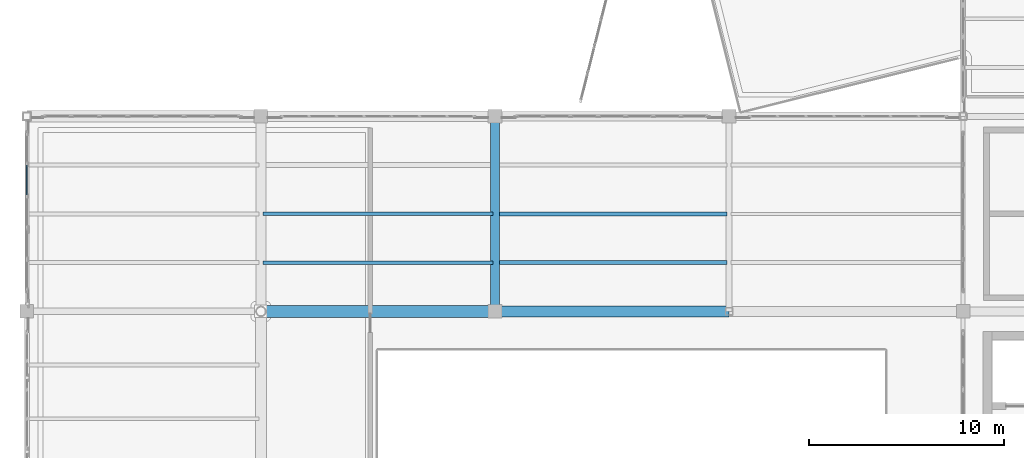
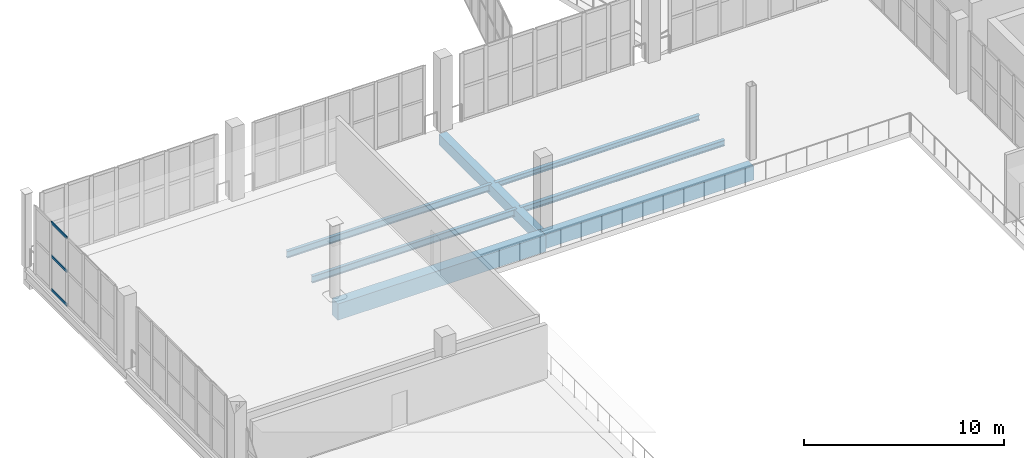
# One storey, part 18 of 108: 7 beams, 3 members, 1 element without a shape of its own.
"""IFC4 building model written with IfcOpenShell, lengths in metres."""

from ifc_helpers import new_model, si_unit, direction, frame, origin, origin_2d, place, context, subcontext, project, spatial, rectangle, hollow_rectangle, i_section, extrude, material, layer, layer_set, material_profile, profile_set, type_object, element, aggregate, save


model = new_model("IFC4")

# Units and contexts
model_context = context("Model", 3, precision=1e-05, world=origin(), true_north=direction((0.0, 1.0)))
body_context = subcontext(model_context, "Body", "Model", "MODEL_VIEW")
ifc_project = project(units=[si_unit("LENGTHUNIT", "METRE"), si_unit("AREAUNIT", "SQUARE_METRE"), si_unit("VOLUMEUNIT", "CUBIC_METRE"), si_unit("PLANEANGLEUNIT", "RADIAN"), si_unit("MASSUNIT", "GRAM", prefix="KILO")], contexts=[model_context])

# Site, building, storey
site_placement = place(None, origin())
site = spatial("IfcSite", under=ifc_project, at=site_placement, CompositionType="ELEMENT")
building_placement = place(site_placement, origin())
building = spatial("IfcBuilding", under=site, at=building_placement, Name="Brinegate Civic Arena", CompositionType="ELEMENT")
storey_placement = place(building_placement, frame((0.0, 0.0, 10.199951171875)))
storey = spatial("IfcBuildingStorey", under=building, at=storey_placement, Name="L02", CompositionType="ELEMENT", Elevation=10.199951171875)

# Curtain wall, members
ifc_material_1 = material(Name="Marine grade aluminium", Category="aluminium")
ifc_layer = layer(ifc_material_1, 0.18505859375, Name="Marine grade aluminium")
ifc_layer_set = layer_set([ifc_layer], Name="Marine grade aluminium")
curtain_wall_type = type_object("IfcCurtainWallType", Name="CW-WING-GLAZED-03", PredefinedType="USERDEFINED", material=ifc_layer_set)
curtain_wall_placement = place(storey_placement, origin())
curtain_wall = element("IfcCurtainWall", 1, at=curtain_wall_placement, inside=storey, type_object=curtain_wall_type, Name="Curtain Wall CWA-021", ObjectType="GLAZED CURTAIN WALL", PredefinedType="USERDEFINED")
ifc_material_profile_1 = material_profile(ifc_material_1, hollow_rectangle(XDim=0.06494140625, YDim=0.1650390625, WallThickness=0.0048828125, InnerFilletRadius=0.00390625, OuterFilletRadius=0.008056640625, at=origin_2d()), Name="TRN65X165")
ifc_profile_set_1 = profile_set([ifc_material_profile_1], Name="Marine grade aluminium")
member_type = type_object("IfcMemberType", Name="CW-TRANSOM-65X165", PredefinedType="USERDEFINED", material=ifc_profile_set_1)
member_1_placement = place(storey_placement, frame((0.0, 47.955810546875, 0.032470703125), z_axis=(0.0, 1.0, 0.0), x_axis=(-1.0, 0.0, 0.0)))
member_1 = element("IfcMember", 2, at=member_1_placement, type_object=member_type, Name="CWA-021 transom 4.1", ObjectType="TRANSOM", PredefinedType="USERDEFINED", context=body_context, shape_type="SweptSolid", body=[
    extrude(hollow_rectangle(XDim=0.06494140625, YDim=0.1650390625, WallThickness=0.0048828125, InnerFilletRadius=0.00390625, OuterFilletRadius=0.008056640625, at=origin_2d()), origin(), (0.0, 0.0, 1.0), 1.54931640625),
])
member_2_placement = place(storey_placement, frame((0.0, 47.955810546875, 2.074951171875), z_axis=(0.0, 1.0, 0.0), x_axis=(-1.0, 0.0, 0.0)))
member_2 = element("IfcMember", 3, at=member_2_placement, type_object=member_type, Name="CWA-021 transom 4.2", ObjectType="TRANSOM", PredefinedType="USERDEFINED", context=body_context, shape_type="SweptSolid", body=[
    extrude(hollow_rectangle(XDim=0.06494140625, YDim=0.1650390625, WallThickness=0.0048828125, InnerFilletRadius=0.00390625, OuterFilletRadius=0.008056640625, at=origin_2d()), origin(), (0.0, 0.0, 1.0), 1.54931640625),
])
member_3_placement = place(storey_placement, frame((0.0, 47.955810546875, 4.117431640625), z_axis=(0.0, 1.0, 0.0), x_axis=(-1.0, 0.0, 0.0)))
member_3 = element("IfcMember", 4, at=member_3_placement, type_object=member_type, Name="CWA-021 transom 4.3", ObjectType="TRANSOM", PredefinedType="USERDEFINED", context=body_context, shape_type="SweptSolid", body=[
    extrude(hollow_rectangle(XDim=0.06494140625, YDim=0.1650390625, WallThickness=0.0048828125, InnerFilletRadius=0.00390625, OuterFilletRadius=0.008056640625, at=origin_2d()), origin(), (0.0, 0.0, 1.0), 1.54931640625),
])
aggregate(curtain_wall, [member_1, member_2, member_3])

# Beams
ifc_material_2 = material(Name="Steel S355", Category="steel")
ifc_material_profile_2 = material_profile(ifc_material_2, i_section(OverallWidth=0.205078125, OverallDepth=0.31005859375, WebThickness=0.009033203125, FlangeThickness=0.01611328125, FilletRadius=0.012939453125, at=origin_2d()), Name="W310X74")
ifc_profile_set_2 = profile_set([ifc_material_profile_2], Name="Steel S355")
beam_type_1 = type_object("IfcBeamType", Name="JOIST-W310X74", PredefinedType="JOIST", material=ifc_profile_set_2)
beam_1_placement = place(storey_placement, frame((24.10595703125, 47.0, -0.48486328125), z_axis=(1.0, 0.0, 0.0), x_axis=(0.0, 1.0, 0.0)))
element("IfcBeam", 5, at=beam_1_placement, inside=storey, type_object=beam_type_1, Name="Secondary Joist BM-L02-JX-02-04-2", PredefinedType="JOIST", context=body_context, shape_type="SweptSolid", body=[
    extrude(i_section(OverallWidth=0.205078125, OverallDepth=0.31005859375, WebThickness=0.009033203125, FlangeThickness=0.01611328125, FilletRadius=0.012939453125, at=origin_2d()), origin(), (0.0, 0.0, 1.0), 11.7880859375),
])
ifc_material_profile_3 = material_profile(ifc_material_2, i_section(OverallWidth=0.205078125, OverallDepth=0.35400390625, WebThickness=0.009033203125, FlangeThickness=0.01708984375, FilletRadius=0.013916015625, at=origin_2d()), Name="W360X79")
ifc_profile_set_3 = profile_set([ifc_material_profile_3], Name="Steel S355")
beam_type_2 = type_object("IfcBeamType", Name="JOIST-W360X79", PredefinedType="JOIST", material=ifc_profile_set_3)
beam_2_placement = place(storey_placement, frame((24.10595703125, 44.5, -0.5068359375), z_axis=(1.0, 0.0, 0.0), x_axis=(0.0, 1.0, 0.0)))
element("IfcBeam", 6, at=beam_2_placement, inside=storey, type_object=beam_type_2, Name="Secondary Joist BM-L02-JX-02-04-1", PredefinedType="JOIST", context=body_context, shape_type="SweptSolid", body=[
    extrude(i_section(OverallWidth=0.205078125, OverallDepth=0.35400390625, WebThickness=0.009033203125, FlangeThickness=0.01708984375, FilletRadius=0.013916015625, at=origin_2d()), origin(), (0.0, 0.0, 1.0), 11.7880859375),
])
ifc_material_profile_4 = material_profile(ifc_material_2, i_section(OverallWidth=0.178955078125, OverallDepth=0.409912109375, WebThickness=0.009033203125, FlangeThickness=0.013916015625, FilletRadius=0.013916015625, at=origin_2d()), Name="W410X67")
ifc_profile_set_4 = profile_set([ifc_material_profile_4], Name="Steel S355")
beam_type_3 = type_object("IfcBeamType", Name="JOIST-W410X67", PredefinedType="JOIST", material=ifc_profile_set_4)
beam_3_placement = place(storey_placement, frame((12.10595703125, 47.0, -0.534912109375), z_axis=(1.0, 0.0, 0.0), x_axis=(0.0, 1.0, 0.0)))
element("IfcBeam", 7, at=beam_3_placement, inside=storey, type_object=beam_type_3, Name="Secondary Joist BM-L02-JX-01-04-2", PredefinedType="JOIST", context=body_context, shape_type="SweptSolid", body=[
    extrude(i_section(OverallWidth=0.178955078125, OverallDepth=0.409912109375, WebThickness=0.009033203125, FlangeThickness=0.013916015625, FilletRadius=0.013916015625, at=origin_2d()), origin(), (0.0, 0.0, 1.0), 11.7880859375),
])
ifc_material_profile_5 = material_profile(ifc_material_2, i_section(OverallWidth=0.180908203125, OverallDepth=0.4169921875, WebThickness=0.010986328125, FlangeThickness=0.01806640625, FilletRadius=0.013916015625, at=origin_2d()), Name="W410X85")
ifc_profile_set_5 = profile_set([ifc_material_profile_5], Name="Steel S355")
beam_type_4 = type_object("IfcBeamType", Name="JOIST-W410X85", PredefinedType="JOIST", material=ifc_profile_set_5)
beam_4_placement = place(storey_placement, frame((12.10595703125, 44.5, -0.537841796875), z_axis=(1.0, 0.0, 0.0), x_axis=(0.0, 1.0, 0.0)))
element("IfcBeam", 8, at=beam_4_placement, inside=storey, type_object=beam_type_4, Name="Secondary Joist BM-L02-JX-01-04-1", PredefinedType="JOIST", context=body_context, shape_type="SweptSolid", body=[
    extrude(i_section(OverallWidth=0.180908203125, OverallDepth=0.4169921875, WebThickness=0.010986328125, FlangeThickness=0.01806640625, FilletRadius=0.013916015625, at=origin_2d()), origin(), (0.0, 0.0, 1.0), 11.7880859375),
])
ifc_material_3 = material(Name="Concrete C50/60", Category="concrete")
ifc_material_profile_6 = material_profile(ifc_material_3, rectangle(XDim=0.449951171875, YDim=0.64990234375, at=origin_2d()), Name="RCB450X650")
ifc_profile_set_6 = profile_set([ifc_material_profile_6], Name="Concrete C50/60")
beam_type_5 = type_object("IfcBeamType", Name="RCG-450X650", PredefinedType="BEAM", material=ifc_profile_set_6)
beam_5_placement = place(storey_placement, frame((24.0, 42.0, -0.655029296875), z_axis=(0.0, 1.0, 0.0), x_axis=(-1.0, 0.0, 0.0)))
element("IfcBeam", 9, at=beam_5_placement, inside=storey, type_object=beam_type_5, Name="Floor Girder BM-L02-GY-02-04", PredefinedType="BEAM", context=body_context, shape_type="SweptSolid", body=[
    extrude(rectangle(XDim=0.449951171875, YDim=0.64990234375, at=origin_2d()), origin(), (0.0, 0.0, 1.0), 10.0),
])
ifc_material_profile_7 = material_profile(ifc_material_3, rectangle(XDim=0.550048828125, YDim=0.85009765625, at=origin_2d()), Name="RCB550X850")
ifc_profile_set_7 = profile_set([ifc_material_profile_7], Name="Concrete C50/60")
beam_type_6 = type_object("IfcBeamType", Name="RCG-550X850", PredefinedType="BEAM", material=ifc_profile_set_7)
beam_6_placement = place(storey_placement, frame((24.0, 42.0, -0.7548828125), z_axis=(1.0, 0.0, 0.0), x_axis=(0.0, 1.0, 0.0)))
element("IfcBeam", 10, at=beam_6_placement, inside=storey, type_object=beam_type_6, Name="Floor Girder BM-L02-GX-02-04", PredefinedType="BEAM", context=body_context, shape_type="SweptSolid", body=[
    extrude(rectangle(XDim=0.550048828125, YDim=0.85009765625, at=origin_2d()), origin(), (0.0, 0.0, 1.0), 12.0),
])
ifc_material_profile_8 = material_profile(ifc_material_3, rectangle(XDim=0.60009765625, YDim=1.0, at=origin_2d()), Name="RCB600X1000")
ifc_profile_set_8 = profile_set([ifc_material_profile_8], Name="Concrete C50/60")
beam_type_7 = type_object("IfcBeamType", Name="RCG-600X1000", PredefinedType="BEAM", material=ifc_profile_set_8)
beam_7_placement = place(storey_placement, frame((12.0, 42.0, -0.829833984375), z_axis=(1.0, 0.0, 0.0), x_axis=(0.0, 1.0, 0.0)))
element("IfcBeam", 11, at=beam_7_placement, inside=storey, type_object=beam_type_7, Name="Floor Girder BM-L02-GX-01-04", PredefinedType="BEAM", context=body_context, shape_type="SweptSolid", body=[
    extrude(rectangle(XDim=0.60009765625, YDim=1.0, at=origin_2d()), origin(), (0.0, 0.0, 1.0), 12.0),
])

save(model, "model.ifc")
